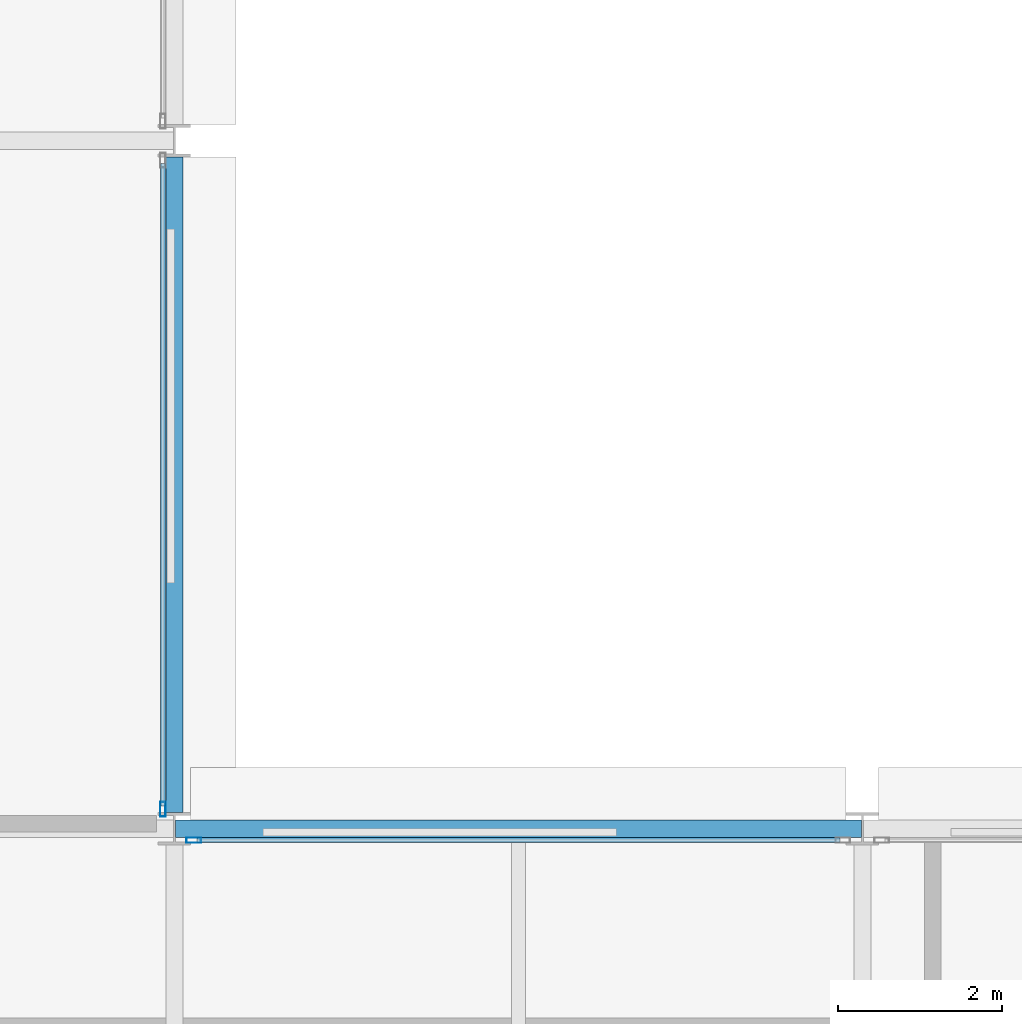
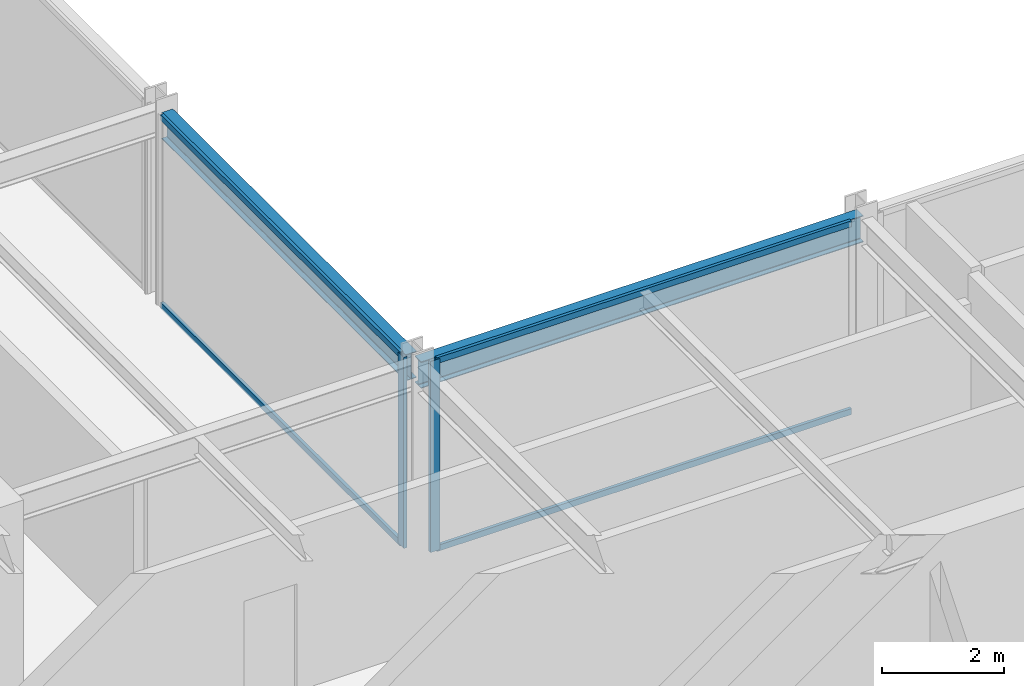
# One storey, part 15 of 39: 6 members, 2 beams, 2 elements without a shape of their own.
"""IFC4 building model written with IfcOpenShell, lengths in metres."""

from ifc_helpers import new_model, si_unit, direction, frame, origin, origin_2d, place, context, subcontext, project, spatial, hollow_rectangle, i_section, extrude, material, layer, layer_set, material_profile, profile_set, type_object, element, aggregate, save


model = new_model("IFC4")

# Units and contexts
model_context = context("Model", 3, precision=1e-05, world=origin(), true_north=direction((0.0, 1.0)))
body_context = subcontext(model_context, "Body", "Model", "MODEL_VIEW")
ifc_project = project(units=[si_unit("LENGTHUNIT", "METRE"), si_unit("AREAUNIT", "SQUARE_METRE"), si_unit("VOLUMEUNIT", "CUBIC_METRE"), si_unit("PLANEANGLEUNIT", "RADIAN"), si_unit("MASSUNIT", "GRAM", prefix="KILO")], contexts=[model_context])

# Site, building, storey
site_placement = place(None, origin())
site = spatial("IfcSite", under=ifc_project, at=site_placement, CompositionType="ELEMENT")
building_placement = place(site_placement, origin())
building = spatial("IfcBuilding", under=site, at=building_placement, Name="Nerrivon Quay Data Exchange", CompositionType="ELEMENT")
storey_placement = place(building_placement, frame((0.0, 0.0, 104.89990234375)))
storey = spatial("IfcBuildingStorey", under=building, at=storey_placement, Name="L24", CompositionType="ELEMENT", Elevation=104.89990234375)

# Beams
ifc_material_1 = material(Name="Steel Grade 350", Category="steel")
ifc_material_profile_1 = material_profile(ifc_material_1, i_section(OverallWidth=0.208984375, OverallDepth=0.532958984375, WebThickness=0.01025390625, FlangeThickness=0.015625, FilletRadius=0.013916015625, at=origin_2d()), Name="530UB92.4")
ifc_profile_set_1 = profile_set([ifc_material_profile_1], Name="Steel Grade 350")
beam_type_1 = type_object("IfcBeamType", Name="BM-G3-530UB92", PredefinedType="BEAM", material=ifc_profile_set_1)
beam_1_placement = place(storey_placement, frame((25.21240234375, 25.199951171875, 3.55859375), z_axis=(1.0, 0.0, 0.0), x_axis=(0.0, 1.0, 0.0)))
element("IfcBeam", 1, at=beam_1_placement, inside=storey, type_object=beam_type_1, Name="L24 EW Girder Y=25.2 (25.2..33.6)", PredefinedType="BEAM", context=body_context, shape_type="SweptSolid", body=[
    extrude(i_section(OverallWidth=0.208984375, OverallDepth=0.532958984375, WebThickness=0.01025390625, FlangeThickness=0.015625, FilletRadius=0.013916015625, at=origin_2d()), origin(), (0.0, 0.0, 1.0), 8.375),
])
ifc_material_profile_2 = material_profile(ifc_material_1, i_section(OverallWidth=0.208984375, OverallDepth=0.528076171875, WebThickness=0.009521484375, FlangeThickness=0.01318359375, FilletRadius=0.013916015625, at=origin_2d()), Name="530UB82.0")
ifc_profile_set_2 = profile_set([ifc_material_profile_2], Name="Steel Grade 350")
beam_type_2 = type_object("IfcBeamType", Name="BM-G4-530UB82", PredefinedType="BEAM", material=ifc_profile_set_2)
beam_2_placement = place(storey_placement, frame((25.199951171875, 25.39990234375, 3.56103515625), z_axis=(0.0, 1.0, 0.0), x_axis=(-1.0, 0.0, 0.0)))
element("IfcBeam", 2, at=beam_2_placement, inside=storey, type_object=beam_type_2, Name="L24 NS Girder X=25.2 (25.2..33.6)", PredefinedType="BEAM", context=body_context, shape_type="SweptSolid", body=[
    extrude(i_section(OverallWidth=0.208984375, OverallDepth=0.528076171875, WebThickness=0.009521484375, FlangeThickness=0.01318359375, FilletRadius=0.013916015625, at=origin_2d()), origin(), (0.0, 0.0, 1.0), 8.0),
])

# Curtain wall, member
ifc_material_2 = material(Name="Anodised aluminium 6063-T6", Category="aluminium")
ifc_layer = layer(ifc_material_2, 0.2099609375)
ifc_layer_set = layer_set([ifc_layer], Name="Anodised aluminium 6063-T6")
curtain_wall_type = type_object("IfcCurtainWallType", Name="CW-SYS-02", PredefinedType="NOTDEFINED", material=ifc_layer_set)
curtain_wall_1_placement = place(storey_placement, origin())
curtain_wall_1 = element("IfcCurtainWall", 3, at=curtain_wall_1_placement, inside=storey, type_object=curtain_wall_type, Name="L24 Unitised Curtain Wall 31", PredefinedType="NOTDEFINED")
ifc_material_profile_3 = material_profile(ifc_material_2, hollow_rectangle(XDim=0.06494140625, YDim=0.179931640625, WallThickness=0.00341796875, at=origin_2d()), Name="ALU-MULL-180x65")
ifc_profile_set_3 = profile_set([ifc_material_profile_3], Name="Anodised aluminium 6063-T6")
member_type_1 = type_object("IfcMemberType", Name="CWM-180x65", PredefinedType="MULLION", material=ifc_profile_set_3)
member_1_placement = place(storey_placement, frame((25.06005859375, 25.4375, 0.0), z_axis=(0.0, 0.0, 1.0), x_axis=(1.0, 0.0, 0.0)))
member_1 = element("IfcMember", 4, at=member_1_placement, type_object=member_type_1, Name="CW02 mullion 2", PredefinedType="MULLION", context=body_context, shape_type="SweptSolid", body=[
    extrude(hollow_rectangle(XDim=0.06494140625, YDim=0.179931640625, WallThickness=0.00341796875, at=origin_2d()), origin(), (0.0, 0.0, 1.0), 3.8251953125),
])

curtain_wall_2_placement = place(storey_placement, origin())
curtain_wall_2 = element("IfcCurtainWall", 5, at=curtain_wall_2_placement, inside=storey, type_object=curtain_wall_type, Name="L24 Unitised Curtain Wall 32", PredefinedType="NOTDEFINED")
member_2_placement = place(storey_placement, frame((25.4375, 25.06005859375, 0.0), z_axis=(0.0, 0.0, 1.0), x_axis=(0.0, 1.0, 0.0)))
member_2 = element("IfcMember", 6, at=member_2_placement, type_object=member_type_1, Name="CW02 mullion 1", PredefinedType="MULLION", context=body_context, shape_type="SweptSolid", body=[
    extrude(hollow_rectangle(XDim=0.06494140625, YDim=0.179931640625, WallThickness=0.00341796875, at=origin_2d()), origin(), (0.0, 0.0, 1.0), 3.8251953125),
])

# Member
ifc_material_profile_4 = material_profile(ifc_material_2, hollow_rectangle(XDim=0.06005859375, YDim=0.1201171875, WallThickness=0.003173828125, at=origin_2d()), Name="ALU-TRAN-120x60")
ifc_profile_set_4 = profile_set([ifc_material_profile_4], Name="Anodised aluminium 6063-T6")
member_type_2 = type_object("IfcMemberType", Name="CWT-120x60", PredefinedType="USERDEFINED", material=ifc_profile_set_4)
member_3_placement = place(storey_placement, frame((25.06005859375, 33.324951171875, 0.03271484375), z_axis=(0.0, -1.0, 0.0), x_axis=(1.0, 0.0, 0.0)))
member_3 = element("IfcMember", 7, at=member_3_placement, type_object=member_type_2, Name="CW02 transom 1.1", ObjectType="TRANSOM", PredefinedType="USERDEFINED", context=body_context, shape_type="SweptSolid", body=[
    extrude(hollow_rectangle(XDim=0.06005859375, YDim=0.1201171875, WallThickness=0.003173828125, at=origin_2d()), origin(), (0.0, 0.0, 1.0), 7.849853515625),
])

member_4_placement = place(storey_placement, frame((25.06005859375, 33.324951171875, 3.79248046875), z_axis=(0.0, -1.0, 0.0), x_axis=(1.0, 0.0, 0.0)))
member_4 = element("IfcMember", 8, at=member_4_placement, type_object=member_type_2, Name="CW02 transom 1.2", ObjectType="TRANSOM", PredefinedType="USERDEFINED", context=body_context, shape_type="SweptSolid", body=[
    extrude(hollow_rectangle(XDim=0.06005859375, YDim=0.1201171875, WallThickness=0.003173828125, at=origin_2d()), origin(), (0.0, 0.0, 1.0), 7.849853515625),
])

aggregate(curtain_wall_1, [member_1, member_3, member_4])

member_5_placement = place(storey_placement, frame((25.47509765625, 25.06005859375, 0.03271484375), z_axis=(1.0, 0.0, 0.0), x_axis=(0.0, 1.0, 0.0)))
member_5 = element("IfcMember", 9, at=member_5_placement, type_object=member_type_2, Name="CW02 transom 1.1", ObjectType="TRANSOM", PredefinedType="USERDEFINED", context=body_context, shape_type="SweptSolid", body=[
    extrude(hollow_rectangle(XDim=0.06005859375, YDim=0.1201171875, WallThickness=0.003173828125, at=origin_2d()), origin(), (0.0, 0.0, 1.0), 7.849853515625),
])

member_6_placement = place(storey_placement, frame((25.47509765625, 25.06005859375, 3.79248046875), z_axis=(1.0, 0.0, 0.0), x_axis=(0.0, 1.0, 0.0)))
member_6 = element("IfcMember", 10, at=member_6_placement, type_object=member_type_2, Name="CW02 transom 1.2", ObjectType="TRANSOM", PredefinedType="USERDEFINED", context=body_context, shape_type="SweptSolid", body=[
    extrude(hollow_rectangle(XDim=0.06005859375, YDim=0.1201171875, WallThickness=0.003173828125, at=origin_2d()), origin(), (0.0, 0.0, 1.0), 7.849853515625),
])

aggregate(curtain_wall_2, [member_2, member_5, member_6])

save(model, "model.ifc")
